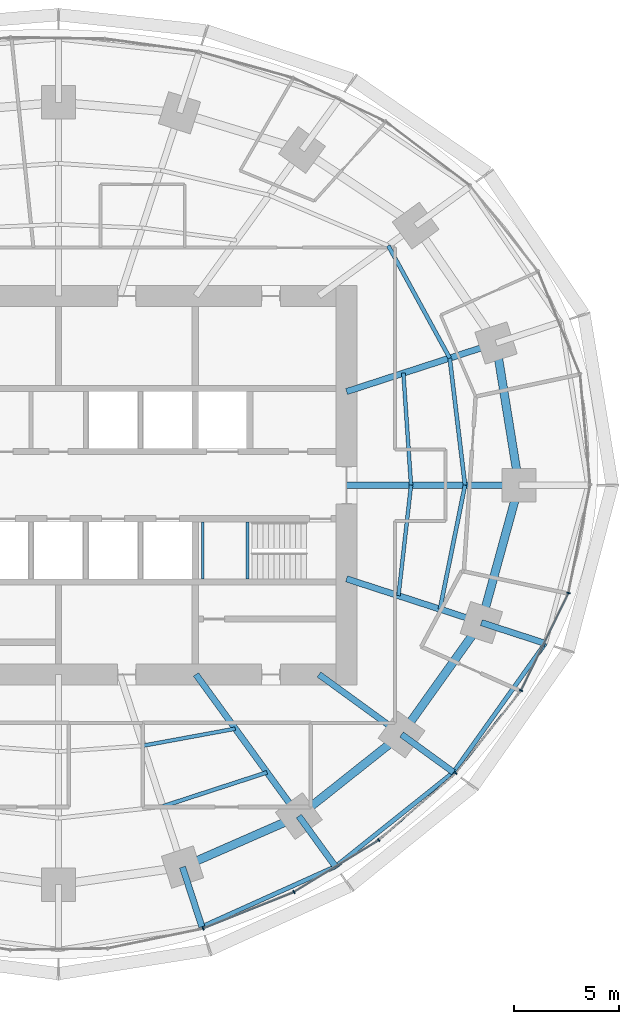
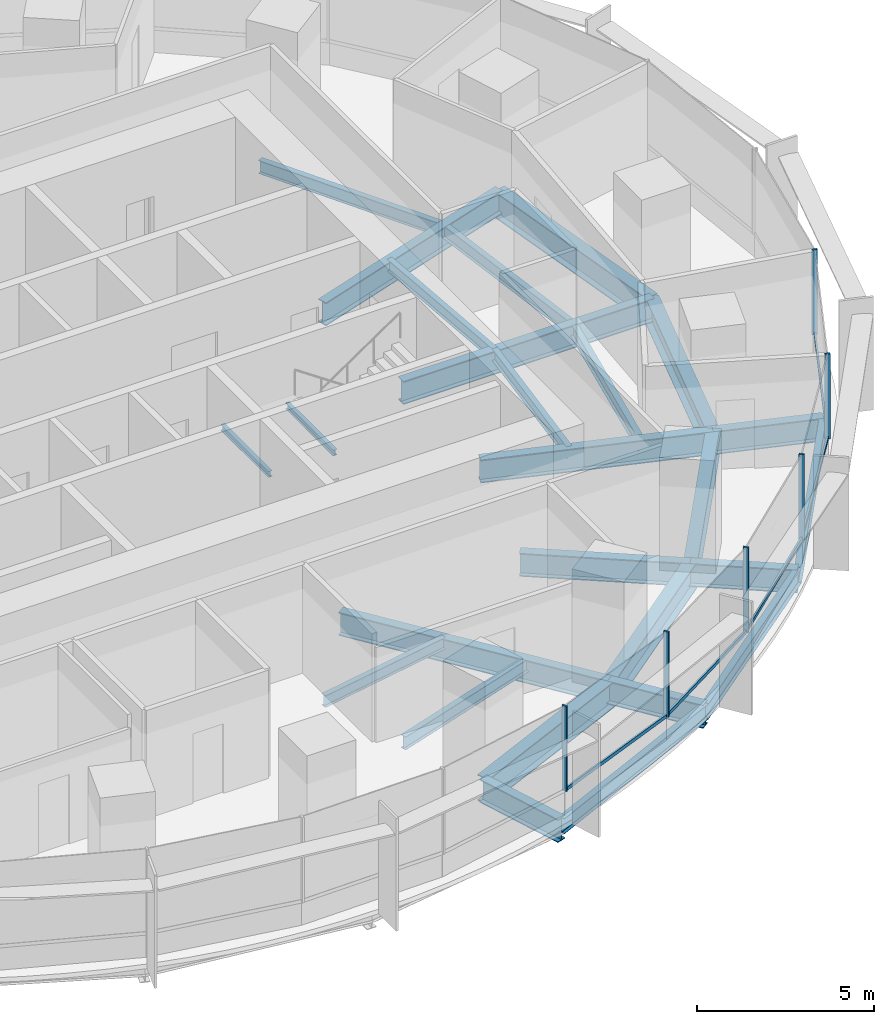
# One storey, part 5 of 14: 26 beams, 11 members, 2 elements without a shape of their own.
"""IFC4 building model written with IfcOpenShell, lengths in metres."""

from ifc_helpers import new_model, si_unit, direction, frame, origin, origin_2d, place, context, subcontext, project, spatial, rectangle, i_section, extrude, material, material_profile, profile_set, type_object, element, aggregate, save


model = new_model("IFC4")

# Units and contexts
model_context = context("Model", 3, precision=1e-05, world=origin(), true_north=direction((0.0, 1.0)))
body_context = subcontext(model_context, "Body", "Model", "MODEL_VIEW")
ifc_project = project(units=[si_unit("LENGTHUNIT", "METRE"), si_unit("AREAUNIT", "SQUARE_METRE"), si_unit("VOLUMEUNIT", "CUBIC_METRE"), si_unit("PLANEANGLEUNIT", "RADIAN"), si_unit("MASSUNIT", "GRAM", prefix="KILO")], contexts=[model_context])

# Site, building, storey
site_placement = place(None, origin())
site = spatial("IfcSite", under=ifc_project, at=site_placement, CompositionType="ELEMENT")
building_placement = place(site_placement, origin())
building = spatial("IfcBuilding", under=site, at=building_placement, Name="Marramba Exchange Tower", CompositionType="ELEMENT")
storey_placement = place(building_placement, frame((0.0, 0.0, 131.39990234375)))
storey = spatial("IfcBuildingStorey", under=building, at=storey_placement, Name="L31", CompositionType="ELEMENT", Elevation=131.39990234375)

# Beams
ifc_material_1 = material(Name="Steel AS/NZS 3679.2 grade 300", Category="steel")
ifc_material_profile_1 = material_profile(ifc_material_1, i_section(OverallWidth=0.300048828125, OverallDepth=0.800048828125, WebThickness=0.013916015625, FlangeThickness=0.031982421875, at=origin_2d()), Name="800WB192")
ifc_profile_set_1 = profile_set([ifc_material_profile_1], Name="Steel AS/NZS 3679.2 grade 300")
beam_type_1 = type_object("IfcBeamType", Name="Cantilever girder 800WB192", PredefinedType="BEAM", material=ifc_profile_set_1)
beam_1_placement = place(storey_placement, frame((5.899658203125, -18.156982421875, -0.559814453125), z_axis=(0.30903246226, -0.951051490336, 0.0), x_axis=(0.951051490336, 0.30903246226, 0.0)))
element("IfcBeam", 1, at=beam_1_placement, inside=storey, type_object=beam_type_1, Name="Cantilever girder L31 TC17", PredefinedType="BEAM", context=body_context, shape_type="SweptSolid", body=[
    extrude(i_section(OverallWidth=0.300048828125, OverallDepth=0.800048828125, WebThickness=0.013916015625, FlangeThickness=0.031982421875, at=origin_2d()), origin(), (0.0, 0.0, 1.0), 2.986328125),
])
beam_2_placement = place(storey_placement, frame((11.430419921875, -15.732666015625, -0.559814453125), z_axis=(0.587794986183, -0.8090099222, 0.0), x_axis=(0.8090099222, 0.587794986183, 0.0)))
element("IfcBeam", 2, at=beam_2_placement, inside=storey, type_object=beam_type_1, Name="Cantilever girder L31 TC18", PredefinedType="BEAM", context=body_context, shape_type="SweptSolid", body=[
    extrude(i_section(OverallWidth=0.300048828125, OverallDepth=0.800048828125, WebThickness=0.013916015625, FlangeThickness=0.031982421875, at=origin_2d()), origin(), (0.0, 0.0, 1.0), 2.9677734375),
])
beam_3_placement = place(storey_placement, frame((16.3154296875, -11.853759765625, -0.559814453125), z_axis=(0.809026231081, -0.587772538847, 0.0), x_axis=(0.587772538847, 0.809026231081, 0.0)))
element("IfcBeam", 3, at=beam_3_placement, inside=storey, type_object=beam_type_1, Name="Cantilever girder L31 TC19", PredefinedType="BEAM", context=body_context, shape_type="SweptSolid", body=[
    extrude(i_section(OverallWidth=0.300048828125, OverallDepth=0.800048828125, WebThickness=0.013916015625, FlangeThickness=0.031982421875, at=origin_2d()), origin(), (0.0, 0.0, 1.0), 3.055419921875),
])
beam_4_placement = place(storey_placement, frame((20.109375, -6.533935546875, -0.559814453125), z_axis=(0.951054839063, -0.309022156318, 0.0), x_axis=(0.309022156318, 0.951054839063, 0.0)))
element("IfcBeam", 4, at=beam_4_placement, inside=storey, type_object=beam_type_1, Name="Cantilever girder L31 TC20", PredefinedType="BEAM", context=body_context, shape_type="SweptSolid", body=[
    extrude(i_section(OverallWidth=0.300048828125, OverallDepth=0.800048828125, WebThickness=0.013916015625, FlangeThickness=0.031982421875, at=origin_2d()), origin(), (0.0, 0.0, 1.0), 3.19580078125),
])
ifc_material_2 = material(Name="Steel AS/NZS 3679.1 grade 300", Category="steel")
ifc_material_profile_2 = material_profile(ifc_material_2, i_section(OverallWidth=0.177978515625, OverallDepth=0.406005859375, WebThickness=0.0078125, FlangeThickness=0.0126953125, FilletRadius=0.011474609375, at=origin_2d()), Name="410UB59.7")
ifc_profile_set_2 = profile_set([ifc_material_profile_2], Name="Steel AS/NZS 3679.1 grade 300")
beam_type_2 = type_object("IfcBeamType", Name="Floor joist 410UB59.7", PredefinedType="JOIST", material=ifc_profile_set_2)
beam_5_placement = place(storey_placement, frame((16.7666015625, 0.0, -0.36279296875), z_axis=(-0.068096259546, 0.99767875563, 0.0), x_axis=(-0.99767875563, -0.068096259546, 0.0)))
element("IfcBeam", 5, at=beam_5_placement, inside=storey, type_object=beam_type_2, Name="Joist L31 bay 01 row 1", PredefinedType="JOIST", context=body_context, shape_type="SweptSolid", body=[
    extrude(i_section(OverallWidth=0.177978515625, OverallDepth=0.406005859375, WebThickness=0.0078125, FlangeThickness=0.0126953125, FilletRadius=0.011474609375, at=origin_2d()), origin(), (0.0, 0.0, 1.0), 5.342041015625),
])
beam_6_placement = place(storey_placement, frame((4.0244140625, -12.3857421875, -0.36279296875), z_axis=(0.983455754421, 0.181148500119, 0.0), x_axis=(-0.181148500119, 0.983455754421, 0.0)))
element("IfcBeam", 6, at=beam_6_placement, inside=storey, type_object=beam_type_2, Name="Joist L31 bay 17 row 1", PredefinedType="JOIST", context=body_context, shape_type="SweptSolid", body=[
    extrude(i_section(OverallWidth=0.177978515625, OverallDepth=0.406005859375, WebThickness=0.0078125, FlangeThickness=0.0126953125, FilletRadius=0.011474609375, at=origin_2d()), origin(), (0.0, 0.0, 1.0), 4.4609375),
])
beam_7_placement = place(storey_placement, frame((16.169677734375, -5.25390625, -0.36279296875), z_axis=(0.112888968594, 0.993607609054, 0.0), x_axis=(-0.993607609054, 0.112888968594, 0.0)))
element("IfcBeam", 7, at=beam_7_placement, inside=storey, type_object=beam_type_2, Name="Joist L31 bay 20 row 1", PredefinedType="JOIST", context=body_context, shape_type="SweptSolid", body=[
    extrude(i_section(OverallWidth=0.177978515625, OverallDepth=0.406005859375, WebThickness=0.0078125, FlangeThickness=0.0126953125, FilletRadius=0.011474609375, at=origin_2d()), origin(), (0.0, 0.0, 1.0), 5.28759765625),
])
ifc_material_profile_3 = material_profile(ifc_material_2, i_section(OverallWidth=0.18994140625, OverallDepth=0.4541015625, WebThickness=0.008544921875, FlangeThickness=0.0126953125, FilletRadius=0.011474609375, at=origin_2d()), Name="460UB67.1")
ifc_profile_set_3 = profile_set([ifc_material_profile_3], Name="Steel AS/NZS 3679.1 grade 300")
beam_type_3 = type_object("IfcBeamType", Name="Floor joist 460UB67.1", PredefinedType="JOIST", material=ifc_profile_set_3)
beam_8_placement = place(storey_placement, frame((19.333251953125, 0.0, -0.386962890625), z_axis=(-0.119523078538, 0.992831422597, 0.0), x_axis=(-0.992831422597, -0.119523078538, 0.0)))
element("IfcBeam", 8, at=beam_8_placement, inside=storey, type_object=beam_type_3, Name="Joist L31 bay 01 row 2", PredefinedType="JOIST", context=body_context, shape_type="SweptSolid", body=[
    extrude(i_section(OverallWidth=0.18994140625, OverallDepth=0.4541015625, WebThickness=0.008544921875, FlangeThickness=0.0126953125, FilletRadius=0.011474609375, at=origin_2d()), origin(), (0.0, 0.0, 1.0), 6.089111328125),
])
beam_9_placement = place(storey_placement, frame((18.60546875, 6.04541015625, -0.386962890625), z_axis=(-0.479584443791, 0.877495732909, 0.0), x_axis=(-0.877495732909, -0.479584443791, 0.0)))
element("IfcBeam", 9, at=beam_9_placement, inside=storey, type_object=beam_type_3, Name="Joist L31 bay 02 row 2", PredefinedType="JOIST", context=body_context, shape_type="SweptSolid", body=[
    extrude(i_section(OverallWidth=0.18994140625, OverallDepth=0.4541015625, WebThickness=0.008544921875, FlangeThickness=0.0126953125, FilletRadius=0.011474609375, at=origin_2d()), origin(), (0.0, 0.0, 1.0), 6.094970703125),
])
beam_10_placement = place(storey_placement, frame((4.9619140625, -15.271484375, -0.386962890625), z_axis=(0.950764024931, 0.309915744834, 0.0), x_axis=(-0.309915744834, 0.950764024931, 0.0)))
element("IfcBeam", 10, at=beam_10_placement, inside=storey, type_object=beam_type_3, Name="Joist L31 bay 17 row 2", PredefinedType="JOIST", context=body_context, shape_type="SweptSolid", body=[
    extrude(i_section(OverallWidth=0.18994140625, OverallDepth=0.4541015625, WebThickness=0.008544921875, FlangeThickness=0.0126953125, FilletRadius=0.011474609375, at=origin_2d()), origin(), (0.0, 0.0, 1.0), 5.2158203125),
])
beam_11_placement = place(storey_placement, frame((18.1396484375, -5.893798828125, -0.386962890625), z_axis=(0.198489047047, 0.980103105904, 0.0), x_axis=(-0.980103105904, 0.198489047047, 0.0)))
element("IfcBeam", 11, at=beam_11_placement, inside=storey, type_object=beam_type_3, Name="Joist L31 bay 20 row 2", PredefinedType="JOIST", context=body_context, shape_type="SweptSolid", body=[
    extrude(i_section(OverallWidth=0.18994140625, OverallDepth=0.4541015625, WebThickness=0.008544921875, FlangeThickness=0.0126953125, FilletRadius=0.011474609375, at=origin_2d()), origin(), (0.0, 0.0, 1.0), 6.013427734375),
])

# Curtain wall, member
ifc_material_3 = material(Name="Aluminium framing, bronze anodised", Category="aluminium")
curtain_wall_type = type_object("IfcCurtainWallType", Name="Office ribbon curtain wall", PredefinedType="USERDEFINED", material=ifc_material_3)
curtain_wall_1_placement = place(storey_placement, origin())
curtain_wall_1 = element("IfcCurtainWall", 12, at=curtain_wall_1_placement, inside=storey, type_object=curtain_wall_type, Name="Curtain wall CW4 L31 F21-F25", ObjectType="RIBBON CURTAIN WALL", PredefinedType="USERDEFINED")
ifc_material_4 = material(Name="Aluminium mullion, bronze anodised", Category="aluminium")
ifc_material_profile_4 = material_profile(ifc_material_4, rectangle(XDim=0.159912109375, YDim=0.06005859375, at=origin_2d()), Name="CW4 mullion 60x160")
ifc_profile_set_4 = profile_set([ifc_material_profile_4], Name="Aluminium mullion, bronze anodised")
member_type_1 = type_object("IfcMemberType", Name="Office ribbon curtain wall mullion", PredefinedType="MULLION", material=ifc_profile_set_4)
member_1_placement = place(storey_placement, frame((6.881103515625, -21.0810546875, 0.800048828125), z_axis=(0.0, 0.0, 1.0), x_axis=(-0.372209067082, 0.928148916059, 0.0)))
member_1 = element("IfcMember", 13, at=member_1_placement, type_object=member_type_1, Name="CW4 mullion 1", PredefinedType="MULLION", context=body_context, shape_type="SweptSolid", body=[
    extrude(rectangle(XDim=0.159912109375, YDim=0.06005859375, at=origin_2d()), origin(), (0.0, 0.0, 1.0), 2.93994140625),
])

# Curtain wall, members
curtain_wall_2_placement = place(storey_placement, origin())
curtain_wall_2 = element("IfcCurtainWall", 14, at=curtain_wall_2_placement, inside=storey, type_object=curtain_wall_type, Name="Curtain wall CW4 L31 F26-F30", ObjectType="RIBBON CURTAIN WALL", PredefinedType="USERDEFINED")
member_2_placement = place(storey_placement, frame((11.2021484375, -19.3427734375, 0.800048828125), z_axis=(0.0, 0.0, 1.0), x_axis=(-0.521732535664, 0.853109114492, 0.0)))
member_2 = element("IfcMember", 15, at=member_2_placement, type_object=member_type_1, Name="CW4 mullion 1", PredefinedType="MULLION", context=body_context, shape_type="SweptSolid", body=[
    extrude(rectangle(XDim=0.159912109375, YDim=0.06005859375, at=origin_2d()), origin(), (0.0, 0.0, 1.0), 2.93994140625),
])
member_3_placement = place(storey_placement, frame((15.232177734375, -16.872314453125, 0.800048828125), z_axis=(0.0, 0.0, 1.0), x_axis=(-0.656431647438, 0.754385506384, 0.0)))
member_3 = element("IfcMember", 16, at=member_3_placement, type_object=member_type_1, Name="CW4 mullion 1", PredefinedType="MULLION", context=body_context, shape_type="SweptSolid", body=[
    extrude(rectangle(XDim=0.159912109375, YDim=0.06005859375, at=origin_2d()), origin(), (0.0, 0.0, 1.0), 2.93994140625),
])
member_4_placement = place(storey_placement, frame((18.886962890625, -13.68505859375, 0.800048828125), z_axis=(0.0, 0.0, 1.0), x_axis=(-0.783170139469, 0.621807472329, 0.0)))
member_4 = element("IfcMember", 17, at=member_4_placement, type_object=member_type_1, Name="CW4 mullion 1", PredefinedType="MULLION", context=body_context, shape_type="SweptSolid", body=[
    extrude(rectangle(XDim=0.159912109375, YDim=0.06005859375, at=origin_2d()), origin(), (0.0, 0.0, 1.0), 2.93994140625),
])
member_5_placement = place(storey_placement, frame((21.994873046875, -9.760009765625, 0.800048828125), z_axis=(0.0, 0.0, 1.0), x_axis=(-0.89844486976, 0.439086342308, 0.0)))
member_5 = element("IfcMember", 18, at=member_5_placement, type_object=member_type_1, Name="CW4 mullion 1", PredefinedType="MULLION", context=body_context, shape_type="SweptSolid", body=[
    extrude(rectangle(XDim=0.159912109375, YDim=0.06005859375, at=origin_2d()), origin(), (0.0, 0.0, 1.0), 2.93994140625),
])
member_6_placement = place(storey_placement, frame((24.252197265625, -5.124267578125, 0.800048828125), z_axis=(0.0, 0.0, 1.0), x_axis=(-0.980393739376, 0.197048511267, 0.0)))
member_6 = element("IfcMember", 19, at=member_6_placement, type_object=member_type_1, Name="CW4 mullion 1", PredefinedType="MULLION", context=body_context, shape_type="SweptSolid", body=[
    extrude(rectangle(XDim=0.159912109375, YDim=0.06005859375, at=origin_2d()), origin(), (0.0, 0.0, 1.0), 2.93994140625),
])

# Member
ifc_material_5 = material(Name="Aluminium transom, bronze anodised", Category="aluminium")
ifc_material_profile_5 = material_profile(ifc_material_5, rectangle(XDim=0.06005859375, YDim=0.1201171875, at=origin_2d()), Name="CW4 transom 60x120")
ifc_profile_set_5 = profile_set([ifc_material_profile_5], Name="Aluminium transom, bronze anodised")
member_type_2 = type_object("IfcMemberType", Name="Office ribbon curtain wall transom", PredefinedType="USERDEFINED", material=ifc_profile_set_5)
member_7_placement = place(storey_placement, frame((6.908935546875, -21.06982421875, 0.830078125), z_axis=(0.928146753748, 0.372214459026, 0.0), x_axis=(-0.372214459026, 0.928146753748, 0.0)))
member_7 = element("IfcMember", 20, at=member_7_placement, type_object=member_type_2, Name="CW4 sill transom", ObjectType="TRANSOM", PredefinedType="USERDEFINED", context=body_context, shape_type="SweptSolid", body=[
    extrude(rectangle(XDim=0.06005859375, YDim=0.1201171875, at=origin_2d()), origin(), (0.0, 0.0, 1.0), 4.597900390625),
])

aggregate(curtain_wall_1, [member_1, member_7])

member_8_placement = place(storey_placement, frame((11.227783203125, -19.3271484375, 0.830078125), z_axis=(0.853124051379, 0.52170811088, 0.0), x_axis=(-0.52170811088, 0.853124051379, 0.0)))
member_8 = element("IfcMember", 21, at=member_8_placement, type_object=member_type_2, Name="CW4 sill transom", ObjectType="TRANSOM", PredefinedType="USERDEFINED", context=body_context, shape_type="SweptSolid", body=[
    extrude(rectangle(XDim=0.06005859375, YDim=0.1201171875, at=origin_2d()), origin(), (0.0, 0.0, 1.0), 4.66748046875),
])

member_9_placement = place(storey_placement, frame((15.2548828125, -16.8525390625, 0.830078125), z_axis=(0.754392594189, 0.65642350189, 0.0), x_axis=(-0.65642350189, 0.754392594189, 0.0)))
member_9 = element("IfcMember", 22, at=member_9_placement, type_object=member_type_2, Name="CW4 sill transom", ObjectType="TRANSOM", PredefinedType="USERDEFINED", context=body_context, shape_type="SweptSolid", body=[
    extrude(rectangle(XDim=0.06005859375, YDim=0.1201171875, at=origin_2d()), origin(), (0.0, 0.0, 1.0), 4.78955078125),
])

member_10_placement = place(storey_placement, frame((18.905517578125, -13.66162109375, 0.830078125), z_axis=(0.621777997945, 0.783193540111, 0.0), x_axis=(-0.783193540111, 0.621777997945, 0.0)))
member_10 = element("IfcMember", 23, at=member_10_placement, type_object=member_type_2, Name="CW4 sill transom", ObjectType="TRANSOM", PredefinedType="USERDEFINED", context=body_context, shape_type="SweptSolid", body=[
    extrude(rectangle(XDim=0.06005859375, YDim=0.1201171875, at=origin_2d()), origin(), (0.0, 0.0, 1.0), 4.947265625),
])

member_11_placement = place(storey_placement, frame((22.008056640625, -9.73291015625, 0.830078125), z_axis=(0.439090714557, 0.898442732949, 0.0), x_axis=(-0.898442732949, 0.439090714557, 0.0)))
member_11 = element("IfcMember", 24, at=member_11_placement, type_object=member_type_2, Name="CW4 sill transom", ObjectType="TRANSOM", PredefinedType="USERDEFINED", context=body_context, shape_type="SweptSolid", body=[
    extrude(rectangle(XDim=0.06005859375, YDim=0.1201171875, at=origin_2d()), origin(), (0.0, 0.0, 1.0), 5.096923828125),
])

aggregate(curtain_wall_2, [member_2, member_8, member_3, member_9, member_4, member_10, member_5, member_11, member_6])

# Beams
ifc_material_profile_6 = material_profile(ifc_material_1, i_section(OverallWidth=0.300048828125, OverallDepth=0.800048828125, WebThickness=0.013916015625, FlangeThickness=0.031982421875, at=origin_2d()), Name="800WB192")
ifc_profile_set_6 = profile_set([ifc_material_profile_6], Name="Steel AS/NZS 3679.2 grade 300")
beam_type_4 = type_object("IfcBeamType", Name="Radial girder 800WB192", PredefinedType="BEAM", material=ifc_profile_set_6)
beam_12_placement = place(storey_placement, frame((13.699951171875, 0.0, -0.559814453125), z_axis=(1.0, 0.0, 0.0), x_axis=(0.0, 1.0, 0.0)))
element("IfcBeam", 25, at=beam_12_placement, inside=storey, type_object=beam_type_4, Name="Radial girder L31 TC01", PredefinedType="BEAM", context=body_context, shape_type="SweptSolid", body=[
    extrude(i_section(OverallWidth=0.300048828125, OverallDepth=0.800048828125, WebThickness=0.013916015625, FlangeThickness=0.031982421875, at=origin_2d()), origin(), (0.0, 0.0, 1.0), 8.199951171875),
])
beam_13_placement = place(storey_placement, frame((13.699951171875, 4.451416015625, -0.559814453125), z_axis=(0.951059990189, 0.309006302624, 0.0), x_axis=(-0.309006302624, 0.951059990189, 0.0)))
element("IfcBeam", 26, at=beam_13_placement, inside=storey, type_object=beam_type_4, Name="Radial girder L31 TC02", PredefinedType="BEAM", context=body_context, shape_type="SweptSolid", body=[
    extrude(i_section(OverallWidth=0.300048828125, OverallDepth=0.800048828125, WebThickness=0.013916015625, FlangeThickness=0.031982421875, at=origin_2d()), origin(), (0.0, 0.0, 1.0), 7.47412109375),
])
beam_14_placement = place(storey_placement, frame((6.538818359375, -9.0, -0.559814453125), z_axis=(0.587787877172, -0.809015087282, 0.0), x_axis=(0.809015087282, 0.587787877172, 0.0)))
element("IfcBeam", 27, at=beam_14_placement, inside=storey, type_object=beam_type_4, Name="Radial girder L31 TC18", PredefinedType="BEAM", context=body_context, shape_type="SweptSolid", body=[
    extrude(i_section(OverallWidth=0.300048828125, OverallDepth=0.800048828125, WebThickness=0.013916015625, FlangeThickness=0.031982421875, at=origin_2d()), origin(), (0.0, 0.0, 1.0), 8.322021484375),
])
beam_15_placement = place(storey_placement, frame((12.387451171875, -9.0, -0.559814453125), z_axis=(0.809025189606, -0.58777397236, 0.0), x_axis=(0.58777397236, 0.809025189606, 0.0)))
element("IfcBeam", 28, at=beam_15_placement, inside=storey, type_object=beam_type_4, Name="Radial girder L31 TC19", PredefinedType="BEAM", context=body_context, shape_type="SweptSolid", body=[
    extrude(i_section(OverallWidth=0.300048828125, OverallDepth=0.800048828125, WebThickness=0.013916015625, FlangeThickness=0.031982421875, at=origin_2d()), origin(), (0.0, 0.0, 1.0), 4.855224609375),
])
beam_16_placement = place(storey_placement, frame((13.699951171875, -4.451416015625, -0.559814453125), z_axis=(0.951057759669, -0.309013167637, 0.0), x_axis=(0.309013167637, 0.951057759669, 0.0)))
element("IfcBeam", 29, at=beam_16_placement, inside=storey, type_object=beam_type_4, Name="Radial girder L31 TC20", PredefinedType="BEAM", context=body_context, shape_type="SweptSolid", body=[
    extrude(i_section(OverallWidth=0.300048828125, OverallDepth=0.800048828125, WebThickness=0.013916015625, FlangeThickness=0.031982421875, at=origin_2d()), origin(), (0.0, 0.0, 1.0), 6.7392578125),
])
ifc_material_profile_7 = material_profile(ifc_material_1, i_section(OverallWidth=0.39990234375, OverallDepth=0.89990234375, WebThickness=0.01611328125, FlangeThickness=0.031982421875, at=origin_2d()), Name="900WB282")
ifc_profile_set_7 = profile_set([ifc_material_profile_7], Name="Steel AS/NZS 3679.2 grade 300")
beam_type_5 = type_object("IfcBeamType", Name="Ring beam 900WB282", PredefinedType="SPANDREL", material=ifc_profile_set_7)
beam_17_placement = place(storey_placement, frame((21.89990234375, 0.0, -0.60986328125), z_axis=(-0.159384865399, 0.987216523708, 0.0), x_axis=(-0.987216523708, -0.159384865399, 0.0)))
element("IfcBeam", 30, at=beam_17_placement, inside=storey, type_object=beam_type_5, Name="Ring beam L31 TC01-TC02", PredefinedType="SPANDREL", context=body_context, shape_type="SweptSolid", body=[
    extrude(i_section(OverallWidth=0.39990234375, OverallDepth=0.89990234375, WebThickness=0.01611328125, FlangeThickness=0.031982421875, at=origin_2d()), origin(), (0.0, 0.0, 1.0), 6.8486328125),
])
beam_18_placement = place(storey_placement, frame((5.899658203125, -18.156982421875, -0.60986328125), z_axis=(0.915876892158, 0.4014592363, 0.0), x_axis=(-0.4014592363, 0.915876892158, 0.0)))
element("IfcBeam", 31, at=beam_18_placement, inside=storey, type_object=beam_type_5, Name="Ring beam L31 TC17-TC18", PredefinedType="SPANDREL", context=body_context, shape_type="SweptSolid", body=[
    extrude(i_section(OverallWidth=0.39990234375, OverallDepth=0.89990234375, WebThickness=0.01611328125, FlangeThickness=0.031982421875, at=origin_2d()), origin(), (0.0, 0.0, 1.0), 6.038818359375),
])
beam_19_placement = place(storey_placement, frame((11.430419921875, -15.732666015625, -0.60986328125), z_axis=(0.783139438128, 0.621846138887, 0.0), x_axis=(-0.621846138887, 0.783139438128, 0.0)))
element("IfcBeam", 32, at=beam_19_placement, inside=storey, type_object=beam_type_5, Name="Ring beam L31 TC18-TC19", PredefinedType="SPANDREL", context=body_context, shape_type="SweptSolid", body=[
    extrude(i_section(OverallWidth=0.39990234375, OverallDepth=0.89990234375, WebThickness=0.01611328125, FlangeThickness=0.031982421875, at=origin_2d()), origin(), (0.0, 0.0, 1.0), 6.23779296875),
])
beam_20_placement = place(storey_placement, frame((16.3154296875, -11.853759765625, -0.60986328125), z_axis=(0.580637181111, 0.814162430914, 0.0), x_axis=(-0.814162430914, 0.580637181111, 0.0)))
element("IfcBeam", 33, at=beam_20_placement, inside=storey, type_object=beam_type_5, Name="Ring beam L31 TC19-TC20", PredefinedType="SPANDREL", context=body_context, shape_type="SweptSolid", body=[
    extrude(i_section(OverallWidth=0.39990234375, OverallDepth=0.89990234375, WebThickness=0.01611328125, FlangeThickness=0.031982421875, at=origin_2d()), origin(), (0.0, 0.0, 1.0), 6.5341796875),
])
beam_21_placement = place(storey_placement, frame((20.109375, -6.533935546875, -0.60986328125), z_axis=(0.264291166956, 0.964442937176, 0.0), x_axis=(-0.964442937176, 0.264291166956, 0.0)))
element("IfcBeam", 34, at=beam_21_placement, inside=storey, type_object=beam_type_5, Name="Ring beam L31 TC20-TC01", PredefinedType="SPANDREL", context=body_context, shape_type="SweptSolid", body=[
    extrude(i_section(OverallWidth=0.39990234375, OverallDepth=0.89990234375, WebThickness=0.01611328125, FlangeThickness=0.031982421875, at=origin_2d()), origin(), (0.0, 0.0, 1.0), 6.77490234375),
])
ifc_material_profile_8 = material_profile(ifc_material_2, i_section(OverallWidth=0.208984375, OverallDepth=0.528076171875, WebThickness=0.009521484375, FlangeThickness=0.01318359375, FilletRadius=0.013916015625, at=origin_2d()), Name="530UB82.0")
ifc_profile_set_8 = profile_set([ifc_material_profile_8], Name="Steel AS/NZS 3679.1 grade 300")
beam_type_6 = type_object("IfcBeamType", Name="Slab edge beam 530UB82.0", PredefinedType="SPANDREL", material=ifc_profile_set_8)
beam_22_placement = place(storey_placement, frame((6.822509765625, -20.9970703125, -0.423828125), z_axis=(0.911653171624, 0.410960453898, 0.0), x_axis=(-0.410960453898, 0.911653171624, 0.0)))
element("IfcBeam", 35, at=beam_22_placement, inside=storey, type_object=beam_type_6, Name="Slab edge beam L31 TC17-TC18", PredefinedType="SPANDREL", context=body_context, shape_type="SweptSolid", body=[
    extrude(i_section(OverallWidth=0.208984375, OverallDepth=0.528076171875, WebThickness=0.009521484375, FlangeThickness=0.01318359375, FilletRadius=0.013916015625, at=origin_2d()), origin(), (0.0, 0.0, 1.0), 6.9677734375),
])
beam_23_placement = place(storey_placement, frame((13.1748046875, -18.133544921875, -0.423828125), z_axis=(0.781286404457, 0.624172695822, 0.0), x_axis=(-0.624172695822, 0.781286404457, 0.0)))
element("IfcBeam", 36, at=beam_23_placement, inside=storey, type_object=beam_type_6, Name="Slab edge beam L31 TC18-TC19", PredefinedType="SPANDREL", context=body_context, shape_type="SweptSolid", body=[
    extrude(i_section(OverallWidth=0.208984375, OverallDepth=0.528076171875, WebThickness=0.009521484375, FlangeThickness=0.01318359375, FilletRadius=0.013916015625, at=origin_2d()), origin(), (0.0, 0.0, 1.0), 7.183837890625),
])
beam_24_placement = place(storey_placement, frame((18.787353515625, -13.649658203125, -0.423828125), z_axis=(0.579834168245, 0.814734519543, 0.0), x_axis=(-0.814734519543, 0.579834168245, 0.0)))
element("IfcBeam", 37, at=beam_24_placement, inside=storey, type_object=beam_type_6, Name="Slab edge beam L31 TC19-TC20", PredefinedType="SPANDREL", context=body_context, shape_type="SweptSolid", body=[
    extrude(i_section(OverallWidth=0.208984375, OverallDepth=0.528076171875, WebThickness=0.009521484375, FlangeThickness=0.01318359375, FilletRadius=0.013916015625, at=origin_2d()), origin(), (0.0, 0.0, 1.0), 7.521728515625),
])
ifc_material_profile_9 = material_profile(ifc_material_2, i_section(OverallWidth=0.133056640625, OverallDepth=0.202880859375, WebThickness=0.005859375, FlangeThickness=0.0078125, FilletRadius=0.0087890625, at=origin_2d()), Name="200UB25.4")
ifc_profile_set_9 = profile_set([ifc_material_profile_9], Name="Steel AS/NZS 3679.1 grade 300")
beam_type_7 = type_object("IfcBeamType", Name="Stair landing beam 200UB25.4", PredefinedType="BEAM", material=ifc_profile_set_9)
for number, where, z_axis, x_axis, name in (
    (38, (6.866455078125, -4.449951171875, 1.648681640625), (0.0, 1.0, 0.0), (-1.0, 0.0, 0.0), "Stair landing beam SLB1 ST2 L31 1"),
    (39, (8.9833984375, -4.449951171875, 1.648681640625), (0.0, 1.0, 0.0), (-1.0, 0.0, 0.0), "Stair landing beam SLB1 ST2 L31 2"),
):
    element("IfcBeam", number, at=place(storey_placement, frame(where, z_axis=z_axis, x_axis=x_axis)), inside=storey, type_object=beam_type_7, Name=name, PredefinedType="BEAM", context=body_context, shape_type="SweptSolid", body=[
        extrude(i_section(OverallWidth=0.133056640625, OverallDepth=0.202880859375, WebThickness=0.005859375, FlangeThickness=0.0078125, FilletRadius=0.0087890625, at=origin_2d()), origin(), (0.0, 0.0, 1.0), 2.699951171875),
    ])

save(model, "model.ifc")
